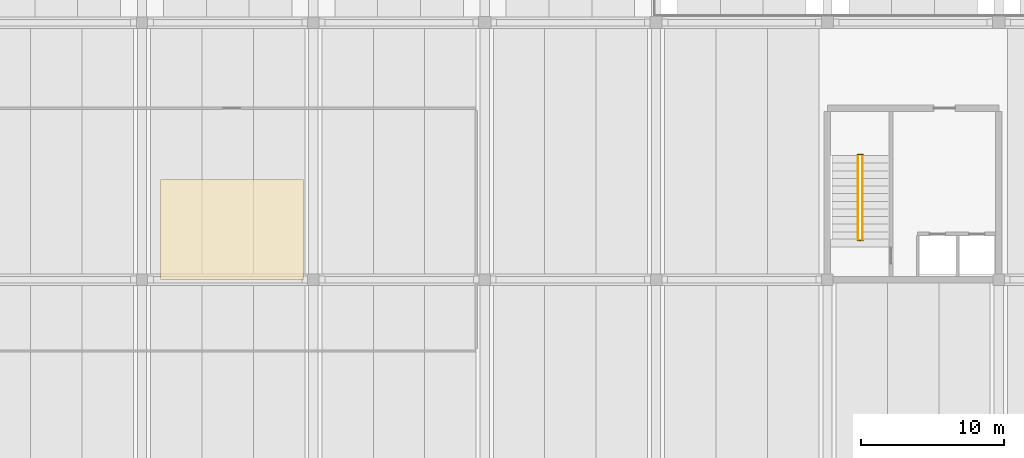
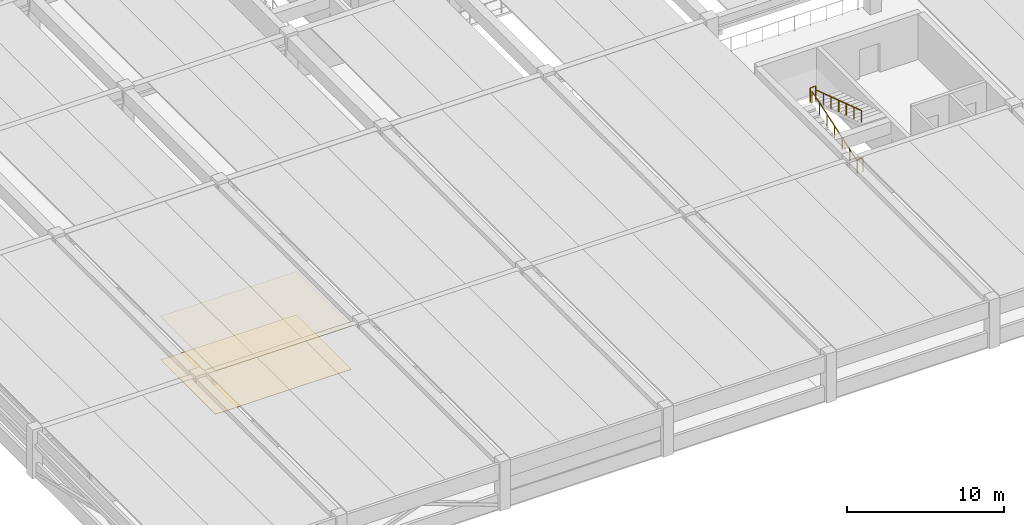
# One storey, part 14 of 16: 4 railings, 2 coverings.
"""IFC4 building model written with IfcOpenShell, lengths in metres."""

from ifc_helpers import new_model, si_unit, direction, frame, origin, origin_2d, place, context, subcontext, project, spatial, rectangle, circle, extrude, material, layer, layer_set, type_object, element, save


model = new_model("IFC4")

# Units and contexts
model_context = context("Model", 3, precision=1e-05, world=origin(), true_north=direction((0.0, 1.0)))
body_context = subcontext(model_context, "Body", "Model", "MODEL_VIEW")
ifc_project = project(units=[si_unit("LENGTHUNIT", "METRE"), si_unit("AREAUNIT", "SQUARE_METRE"), si_unit("VOLUMEUNIT", "CUBIC_METRE"), si_unit("PLANEANGLEUNIT", "RADIAN"), si_unit("MASSUNIT", "GRAM", prefix="KILO")], contexts=[model_context])

# Site, building, storey
site_placement = place(None, origin())
site = spatial("IfcSite", under=ifc_project, at=site_placement, CompositionType="ELEMENT")
building_placement = place(site_placement, origin())
building = spatial("IfcBuilding", under=site, at=building_placement, Name="Girod Span Mobility Hub", CompositionType="ELEMENT")
storey_placement = place(building_placement, frame((0.0, 0.0, 28.60009765625)))
storey = spatial("IfcBuildingStorey", under=building, at=storey_placement, Name="L07", CompositionType="ELEMENT", Elevation=28.60009765625)

# Coverings
ifc_material_1 = material(Name="Perforated Mineral-Fibre Acoustic Ceiling Tile", Category="mineral")
ifc_layer_1 = layer(ifc_material_1, 0.050048828125)
ifc_layer_set_1 = layer_set([ifc_layer_1], Name="Perforated Mineral-Fibre Acoustic Ceiling Tile")
covering_type_1 = type_object("IfcCoveringType", Name="COV-CLG-1000X700", PredefinedType="CEILING", material=ifc_layer_set_1)
covering_1_placement = place(storey_placement, frame((30.300048828125, 30.5, 3.35009765625), z_axis=(0.0, 0.0, 1.0), x_axis=(1.0, 0.0, 0.0)))
element("IfcCovering", 1, at=covering_1_placement, inside=storey, type_object=covering_type_1, Name="Fleet Diagnostics Workshop Acoustic Ceiling", PredefinedType="CEILING", context=body_context, shape_type="SweptSolid", body=[
    extrude(rectangle(XDim=10.0, YDim=7.0, at=origin_2d()), origin(), (0.0, 0.0, 1.0), 0.050048828125),
])
ifc_material_2 = material(Name="Epoxy Terrazzo and Raised Access Flooring", Category="polymer")
ifc_layer_2 = layer(ifc_material_2, 0.02490234375)
ifc_layer_set_2 = layer_set([ifc_layer_2], Name="Epoxy Terrazzo and Raised Access Flooring")
covering_type_2 = type_object("IfcCoveringType", Name="COV-FLR-1000X700", PredefinedType="FLOORING", material=ifc_layer_set_2)
covering_2_placement = place(storey_placement, frame((30.300048828125, 30.5, 0.0), z_axis=(0.0, 0.0, 1.0), x_axis=(1.0, 0.0, 0.0)))
element("IfcCovering", 2, at=covering_2_placement, inside=storey, type_object=covering_type_2, Name="Fleet Diagnostics Workshop Floor Finish", PredefinedType="FLOORING", context=body_context, shape_type="SweptSolid", body=[
    extrude(rectangle(XDim=10.0, YDim=7.0, at=origin_2d()), origin(), (0.0, 0.0, 1.0), 0.02490234375),
])

# Railings
ifc_material_3 = material(Name="Painted Galvanised Steel", Category="steel")
ifc_layer_3 = layer(ifc_material_3, 0.06494140625)
ifc_layer_set_3 = layer_set([ifc_layer_3], Name="Painted Galvanised Steel")
railing_type_1 = type_object("IfcRailingType", Name="RL-GRD-1120", PredefinedType="GUARDRAIL", material=ifc_layer_set_3)
for number, where, name in (
    (3, (74.10009765625, 35.77001953125, 1.89990234375), "Stair ST-3 Half-Landing Well Guard L07"),
    (4, (74.10009765625, 29.72998046875, 0.0), "Stair ST-3 Landing Well Guard L07"),
):
    element("IfcRailing", number, at=place(storey_placement, frame(where)), inside=storey, type_object=railing_type_1, Name=name, PredefinedType="GUARDRAIL", context=body_context, shape_type="SweptSolid", body=[
        extrude(circle(Radius=0.02392578125, at=origin_2d()), frame((0.0, 0.0, 1.09619140625), z_axis=(1.0, 0.0, 0.0), x_axis=(0.0, 1.0, 0.0)), (0.0, 0.0, 1.0), 0.39990234375),
        extrude(circle(Radius=0.02099609375, at=origin_2d()), origin(), (0.0, 0.0, 1.0), 1.072021484375),
        extrude(circle(Radius=0.02099609375, at=origin_2d()), frame((0.39990234375, 0.0, 0.0)), (0.0, 0.0, 1.0), 1.072021484375),
    ])
ifc_material_4 = material(Name="Painted Galvanised Steel", Category="steel")
ifc_layer_4 = layer(ifc_material_4, 0.050048828125)
ifc_layer_set_4 = layer_set([ifc_layer_4], Name="Painted Galvanised Steel")
railing_type_2 = type_object("IfcRailingType", Name="RL-HR-920", PredefinedType="HANDRAIL", material=ifc_layer_set_4)
railing_1_placement = place(storey_placement, frame((74.14990234375, 29.860107421875, 0.0)))
element("IfcRailing", 5, at=railing_1_placement, inside=storey, type_object=railing_type_2, Name="Stair ST-3 Flight 1 Handrail L07", PredefinedType="HANDRAIL", context=body_context, shape_type="SweptSolid", body=[
    extrude(circle(Radius=0.02392578125, at=origin_2d()), frame((0.0, 0.0, 0.89599609375), z_axis=(0.0, 0.949991280403, 0.312276427477), x_axis=(-1.0, 0.0, 0.0)), (0.0, 0.0, 1.0), 6.083984375),
    extrude(circle(Radius=0.02099609375, at=origin_2d()), origin(), (0.0, 0.0, 1.0), 0.871826171875),
    extrude(circle(Radius=0.02099609375, at=origin_2d()), frame((0.0, 0.96337890625, 0.316650390625)), (0.0, 0.0, 1.0), 0.871826171875),
    extrude(circle(Radius=0.02099609375, at=origin_2d()), frame((0.0, 1.926513671875, 0.63330078125)), (0.0, 0.0, 1.0), 0.871826171875),
    extrude(circle(Radius=0.02099609375, at=origin_2d()), frame((0.0, 2.889892578125, 0.949951171875)), (0.0, 0.0, 1.0), 0.871826171875),
    extrude(circle(Radius=0.02099609375, at=origin_2d()), frame((0.0, 3.853271484375, 1.2666015625)), (0.0, 0.0, 1.0), 0.871826171875),
    extrude(circle(Radius=0.02099609375, at=origin_2d()), frame((0.0, 4.81640625, 1.583251953125)), (0.0, 0.0, 1.0), 0.871826171875),
    extrude(circle(Radius=0.02099609375, at=origin_2d()), frame((0.0, 5.77978515625, 1.89990234375)), (0.0, 0.0, 1.0), 0.871826171875),
])
railing_2_placement = place(storey_placement, frame((74.449951171875, 35.639892578125, 1.89990234375)))
element("IfcRailing", 6, at=railing_2_placement, inside=storey, type_object=railing_type_2, Name="Stair ST-3 Flight 2 Handrail L07", PredefinedType="HANDRAIL", context=body_context, shape_type="SweptSolid", body=[
    extrude(circle(Radius=0.02392578125, at=origin_2d()), frame((0.0, 0.0, 0.89599609375), z_axis=(0.0, -0.949991280403, 0.312276427477), x_axis=(1.0, 0.0, 0.0)), (0.0, 0.0, 1.0), 6.083984375),
    extrude(circle(Radius=0.02099609375, at=origin_2d()), origin(), (0.0, 0.0, 1.0), 0.871826171875),
    extrude(circle(Radius=0.02099609375, at=origin_2d()), frame((0.0, -0.96337890625, 0.316650390625)), (0.0, 0.0, 1.0), 0.871826171875),
    extrude(circle(Radius=0.02099609375, at=origin_2d()), frame((0.0, -1.926513671875, 0.63330078125)), (0.0, 0.0, 1.0), 0.871826171875),
    extrude(circle(Radius=0.02099609375, at=origin_2d()), frame((0.0, -2.889892578125, 0.949951171875)), (0.0, 0.0, 1.0), 0.871826171875),
    extrude(circle(Radius=0.02099609375, at=origin_2d()), frame((0.0, -3.853271484375, 1.2666015625)), (0.0, 0.0, 1.0), 0.871826171875),
    extrude(circle(Radius=0.02099609375, at=origin_2d()), frame((0.0, -4.81640625, 1.583251953125)), (0.0, 0.0, 1.0), 0.871826171875),
    extrude(circle(Radius=0.02099609375, at=origin_2d()), frame((0.0, -5.77978515625, 1.89990234375)), (0.0, 0.0, 1.0), 0.871826171875),
])

save(model, "model.ifc")
